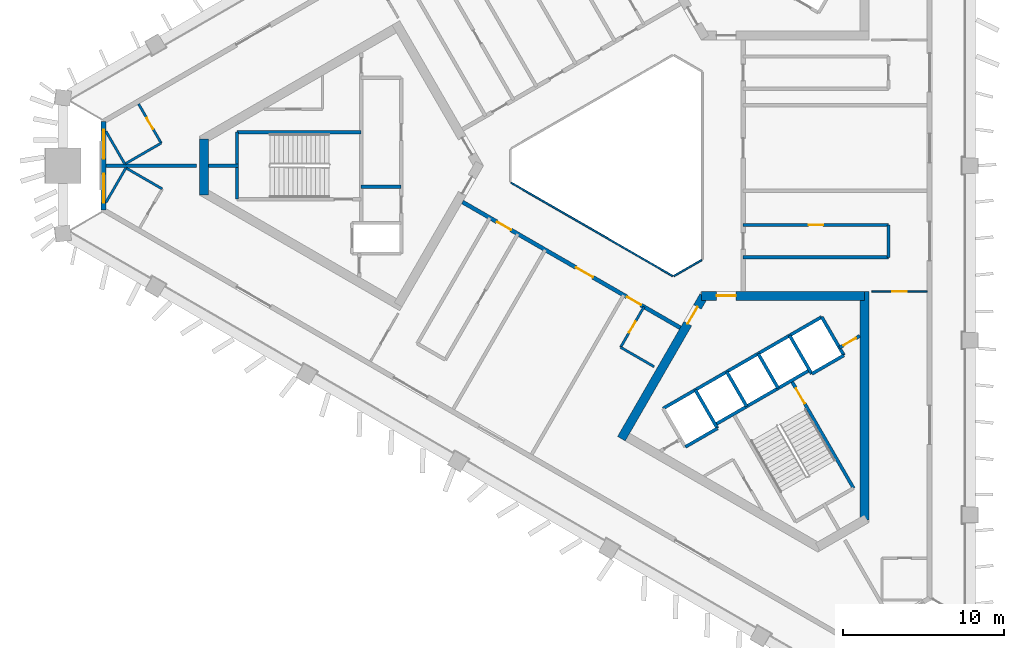
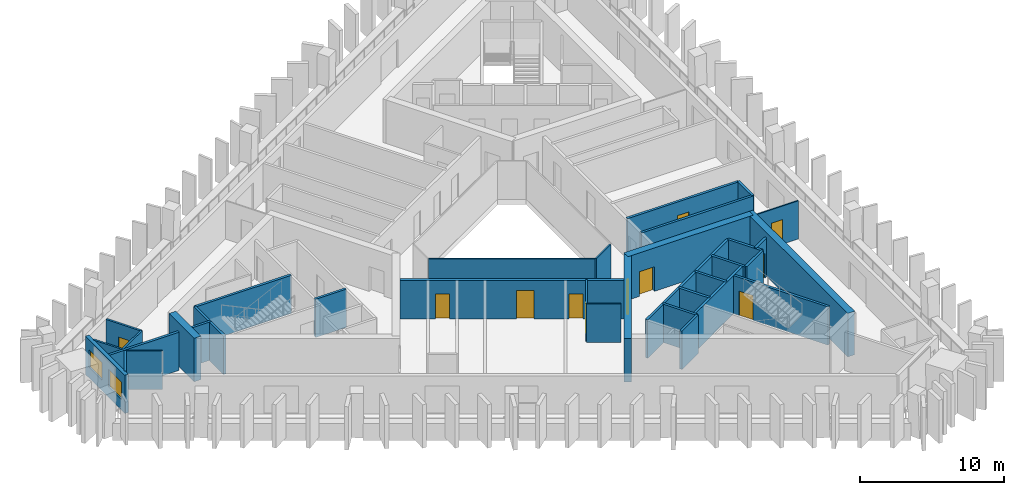
# One storey, part 3 of 9: 35 walls, 11 doors, 2 windows, 13 openings.
"""IFC4 building model written with IfcOpenShell, lengths in metres."""

from ifc_helpers import new_model, si_unit, direction, frame, frame_2d, origin, place, context, subcontext, project, spatial, rectangle, extrude, material, layer, layer_set, type_object, element, fill, save


model = new_model("IFC4")

# Units and contexts
model_context = context("Model", 3, precision=1e-05, world=origin(), true_north=direction((0.0, 1.0)))
body_context = subcontext(model_context, "Body", "Model", "MODEL_VIEW")
ifc_project = project(units=[si_unit("LENGTHUNIT", "METRE"), si_unit("AREAUNIT", "SQUARE_METRE"), si_unit("VOLUMEUNIT", "CUBIC_METRE"), si_unit("PLANEANGLEUNIT", "RADIAN"), si_unit("MASSUNIT", "GRAM", prefix="KILO")], contexts=[model_context])

# Site, building, storey
site_placement = place(None, origin())
site = spatial("IfcSite", under=ifc_project, at=site_placement, CompositionType="ELEMENT")
building_placement = place(site_placement, origin())
building = spatial("IfcBuilding", under=site, at=building_placement, Name="Jabali Bay Hotel Tower and Convention Centre", CompositionType="ELEMENT")
storey_placement = place(building_placement, frame((0.0, 0.0, 171.10009765625)))
storey = spatial("IfcBuildingStorey", under=building, at=storey_placement, Name="L41", CompositionType="ELEMENT", Elevation=171.10009765625)

# Walls
ifc_material_1 = material(Name="Fire-resistant glazing", Category="glass")
ifc_layer_1 = layer(ifc_material_1, 0.10009765625)
ifc_layer_set_1 = layer_set([ifc_layer_1], Name="Fire-resistant glazing")
wall_type_1 = type_object("IfcWallType", Name="Atrium glazed screen 100", PredefinedType="PARTITIONING", material=ifc_layer_set_1)
wall_1_placement = place(storey_placement, frame((67.7021484375, 78.947998046875, 0.0), z_axis=(0.0, 0.0, 1.0), x_axis=(0.866026658274, -0.499997827154, 0.0)))
element("IfcWall", 1, at=wall_1_placement, inside=storey, type_object=wall_type_1, Name="Atrium screen 5 L41", PredefinedType="PARTITIONING", context=body_context, shape_type="SweptSolid", body=[
    extrude(rectangle(XDim=11.58837890625, YDim=0.10009765625, at=frame_2d((5.794189453125, 0.0))), origin(), (0.0, 0.0, 1.0), 3.25),
])
wall_2_placement = place(storey_placement, frame((77.7978515625, 73.15380859375, 0.0), z_axis=(0.0, 0.0, 1.0), x_axis=(0.866041268327, 0.499972520799, 0.0)))
element("IfcWall", 2, at=wall_2_placement, inside=storey, type_object=wall_type_1, Name="Atrium screen 6 L41", PredefinedType="PARTITIONING", context=body_context, shape_type="SweptSolid", body=[
    extrude(rectangle(XDim=2.0, YDim=0.10009765625, at=frame_2d((1.0, 0.0))), origin(), (0.0, 0.0, 1.0), 3.25),
])
ifc_material_2 = material(Name="Concrete C40", Category="concrete")
ifc_layer_2 = layer(ifc_material_2, 0.199951171875)
ifc_layer_set_2 = layer_set([ifc_layer_2], Name="Concrete C40")
wall_type_2 = type_object("IfcWallType", Name="Core partition wall 200", PredefinedType="PARTITIONING", material=ifc_layer_set_2)
wall_3_placement = place(storey_placement, frame((50.820068359375, 80.0, 0.0), z_axis=(0.0, 0.0, 1.0), x_axis=(-1.0, 0.0, 0.0)))
element("IfcWall", 3, at=wall_3_placement, inside=storey, type_object=wall_type_2, Name="Core wall 0.3 L41", PredefinedType="PARTITIONING", context=body_context, shape_type="SweptSolid", body=[
    extrude(rectangle(XDim=1.873046875, YDim=0.199951171875, at=frame_2d((0.9365234375, 0.0))), origin(), (0.0, 0.0, 1.0), 3.25),
])

# Wall, opening, door
wall_4_placement = place(storey_placement, frame((88.064697265625, 68.72119140625, 0.0), z_axis=(0.0, 0.0, 1.0), x_axis=(0.865982457891, 0.500074377092, 0.0)))
wall_4 = element("IfcWall", 4, at=wall_4_placement, inside=storey, type_object=wall_type_2, Name="Core wall 2.12 L41", PredefinedType="PARTITIONING", context=body_context, shape_type="SweptSolid", body=[
    extrude(rectangle(XDim=1.461181640625, YDim=0.199951171875, at=frame_2d((0.73046875, 0.0))), origin(), (0.0, 0.0, 1.0), 3.25),
])
opening_1_placement = place(wall_4_placement, frame((0.280517578125, 0.0, 0.0)))
opening_1 = element("IfcOpeningElement", 5, at=opening_1_placement, cuts=wall_4, Name="Opening D901", PredefinedType="OPENING", context=body_context, shape_type="SweptSolid", body=[
    extrude(rectangle(XDim=0.89990234375, YDim=2.10009765625, at=frame_2d((0.449951171875, 1.050048828125))), frame((0.0, 0.1103515625, 0.0), z_axis=(0.0, -1.0, 0.0), x_axis=(1.0, 0.0, 0.0)), (0.0, 0.0, 1.0), 0.220947265625),
])
ifc_material_3 = material(Name="Fire-rated steel door", Category="steel")
door_type_1 = type_object("IfcDoorType", Name="Vestibule fire door 900 x 2100", OperationType="NOTDEFINED", PredefinedType="NOTDEFINED", material=ifc_material_3)
door_1_placement = place(opening_1_placement, origin())
door_1 = element("IfcDoor", 6, at=door_1_placement, inside=storey, type_object=door_type_1, Name="Vestibule fire door D901", OperationType="SINGLE_SWING_LEFT", OverallHeight=2.10009765625, OverallWidth=0.89990234375, PredefinedType="NOTDEFINED", context=body_context, shape_type="SweptSolid", body=[
    extrude(rectangle(XDim=0.89990234375, YDim=2.10009765625, at=frame_2d((0.449951171875, 1.050048828125))), frame((0.0, 0.02490234375, 0.0), z_axis=(0.0, -1.0, 0.0), x_axis=(1.0, 0.0, 0.0)), (0.0, 0.0, 1.0), 0.050048828125),
])
fill(opening_1, door_1)

# Walls
ifc_layer_3 = layer(ifc_material_2, 0.199951171875)
ifc_layer_set_3 = layer_set([ifc_layer_3], Name="Concrete C40")
wall_type_3 = type_object("IfcWallType", Name="Core stair wall 200", PredefinedType="SOLIDWALL", material=ifc_layer_set_3)
wall_5_placement = place(storey_placement, frame((58.419921875, 82.074951171875, 0.0), z_axis=(0.0, 0.0, 1.0), x_axis=(-1.0, 0.0, 0.0)))
element("IfcWall", 7, at=wall_5_placement, inside=storey, type_object=wall_type_3, Name="Core wall 0.2 L41", PredefinedType="SOLIDWALL", context=body_context, shape_type="SweptSolid", body=[
    extrude(rectangle(XDim=7.699951171875, YDim=0.199951171875, at=frame_2d((3.85009765625, 0.0))), origin(), (0.0, 0.0, 1.0), 3.25),
])
wall_6_placement = place(storey_placement, frame((60.89990234375, 78.699951171875, 0.0), z_axis=(0.0, 0.0, 1.0), x_axis=(-1.0, 0.0, 0.0)))
element("IfcWall", 8, at=wall_6_placement, inside=storey, type_object=wall_type_3, Name="Core wall 0.4 L41", PredefinedType="SOLIDWALL", context=body_context, shape_type="SweptSolid", body=[
    extrude(rectangle(XDim=2.47998046875, YDim=0.199951171875, at=frame_2d((1.239990234375, 0.0))), origin(), (0.0, 0.0, 1.0), 3.25),
])
wall_7_placement = place(storey_placement, frame((50.719970703125, 82.074951171875, 0.0), z_axis=(0.0, 0.0, 1.0), x_axis=(0.0, -1.0, 0.0)))
element("IfcWall", 9, at=wall_7_placement, inside=storey, type_object=wall_type_3, Name="Core wall 0.13 L41", PredefinedType="SOLIDWALL", context=body_context, shape_type="SweptSolid", body=[
    extrude(rectangle(XDim=4.14990234375, YDim=0.199951171875, at=frame_2d((2.074951171875, 0.0))), origin(), (0.0, 0.0, 1.0), 3.25),
])
wall_8_placement = place(storey_placement, frame((79.127197265625, 66.1015625, 0.0), z_axis=(0.0, 0.0, 1.0), x_axis=(0.499996545922, -0.866027397988, 0.0)))
element("IfcWall", 10, at=wall_8_placement, inside=storey, type_object=wall_type_3, Name="Core wall 2.2 L41", PredefinedType="SOLIDWALL", context=body_context, shape_type="SweptSolid", body=[
    extrude(rectangle(XDim=2.75, YDim=0.199951171875, at=frame_2d((1.375, 0.0))), origin(), (0.0, 0.0, 1.0), 3.25),
])
for number, where, z_axis, x_axis, name in (
    (11, (81.07568359375, 67.2265625, 0.0), (0.0, 0.0, 1.0), (0.50000366821, -0.866023285932, 0.0), "Core wall 2.4 L41"),
    (12, (83.024169921875, 68.3515625, 0.0), (0.0, 0.0, 1.0), (0.50000366821, -0.866023285932, 0.0), "Core wall 2.6 L41"),
):
    element("IfcWall", number, at=place(storey_placement, frame(where, z_axis=z_axis, x_axis=x_axis)), inside=storey, type_object=wall_type_3, Name=name, PredefinedType="SOLIDWALL", context=body_context, shape_type="SweptSolid", body=[
        extrude(rectangle(XDim=2.47998046875, YDim=0.199951171875, at=frame_2d((1.239990234375, 0.0))), origin(), (0.0, 0.0, 1.0), 3.25),
    ])

# Wall, opening, door
wall_9_placement = place(storey_placement, frame((85.0869140625, 66.6787109375, 0.0), z_axis=(0.0, 0.0, 1.0), x_axis=(0.500019787375, -0.866013979237, 0.0)))
wall_9 = element("IfcWall", 13, at=wall_9_placement, inside=storey, type_object=wall_type_3, Name="Core wall 2.7 L41", PredefinedType="SOLIDWALL", context=body_context, shape_type="SweptSolid", body=[
    extrude(rectangle(XDim=7.699951171875, YDim=0.199951171875, at=frame_2d((3.85009765625, 0.0))), origin(), (0.0, 0.0, 1.0), 3.25),
])
opening_2_placement = place(wall_9_placement, frame((0.550048828125, 0.0, 0.0)))
opening_2 = element("IfcOpeningElement", 14, at=opening_2_placement, cuts=wall_9, Name="Opening D903", PredefinedType="OPENING", context=body_context, shape_type="SweptSolid", body=[
    extrude(rectangle(XDim=1.10009765625, YDim=2.10009765625, at=frame_2d((0.550048828125, 1.050048828125))), frame((0.0, 0.1103515625, 0.0), z_axis=(0.0, -1.0, 0.0), x_axis=(1.0, 0.0, 0.0)), (0.0, 0.0, 1.0), 0.220947265625),
])
door_type_2 = type_object("IfcDoorType", Name="Stair fire door 1100 x 2100", OperationType="NOTDEFINED", PredefinedType="NOTDEFINED", material=ifc_material_3)
door_2_placement = place(opening_2_placement, origin())
door_2 = element("IfcDoor", 15, at=door_2_placement, inside=storey, type_object=door_type_2, Name="Stair fire door D903", OperationType="SINGLE_SWING_RIGHT", OverallHeight=2.10009765625, OverallWidth=1.10009765625, PredefinedType="NOTDEFINED", context=body_context, shape_type="SweptSolid", body=[
    extrude(rectangle(XDim=1.10009765625, YDim=2.10009765625, at=frame_2d((0.550048828125, 1.050048828125))), frame((0.0, 0.02490234375, 0.0), z_axis=(0.0, -1.0, 0.0), x_axis=(1.0, 0.0, 0.0)), (0.0, 0.0, 1.0), 0.050048828125),
])
fill(opening_2, door_2)

# Walls
for number, where, z_axis, x_axis, name in (
    (16, (84.972900390625, 69.4765625, 0.0), (0.0, 0.0, 1.0), (0.499996545922, -0.866027397988, 0.0), "Core wall 2.8 L41"),
    (17, (86.964599609375, 70.62646484375, 0.0), (0.0, 0.0, 1.0), (0.499996545922, -0.866027397988, 0.0), "Core wall 2.9 L41"),
):
    element("IfcWall", number, at=place(storey_placement, frame(where, z_axis=z_axis, x_axis=x_axis)), inside=storey, type_object=wall_type_3, Name=name, PredefinedType="SOLIDWALL", context=body_context, shape_type="SweptSolid", body=[
        extrude(rectangle(XDim=2.75, YDim=0.199951171875, at=frame_2d((1.375, 0.0))), origin(), (0.0, 0.0, 1.0), 3.25),
    ])
wall_10_placement = place(storey_placement, frame((77.13525390625, 64.95166015625, 0.0), z_axis=(0.0, 0.0, 1.0), x_axis=(0.866031916153, 0.499988720078, 0.0)))
element("IfcWall", 18, at=wall_10_placement, inside=storey, type_object=wall_type_3, Name="Core wall 2.10 L41", PredefinedType="SOLIDWALL", context=body_context, shape_type="SweptSolid", body=[
    extrude(rectangle(XDim=11.349853515625, YDim=0.199951171875, at=frame_2d((5.6748046875, 0.0))), origin(), (0.0, 0.0, 1.0), 3.25),
])
wall_11_placement = place(storey_placement, frame((80.3671875, 63.953857421875, 0.0), z_axis=(0.0, 0.0, 1.0), x_axis=(0.866026575979, 0.499997969693, 0.0)))
element("IfcWall", 19, at=wall_11_placement, inside=storey, type_object=wall_type_3, Name="Core wall 2.13 L41", PredefinedType="SOLIDWALL", context=body_context, shape_type="SweptSolid", body=[
    extrude(rectangle(XDim=6.75, YDim=0.199951171875, at=frame_2d((3.375, 0.0))), origin(), (0.0, 0.0, 1.0), 3.25),
])
wall_12_placement = place(storey_placement, frame((78.51025390625, 62.570068359375, 0.0), z_axis=(0.0, 0.0, 1.0), x_axis=(0.866053019151, 0.499952165731, 0.0)))
element("IfcWall", 20, at=wall_12_placement, inside=storey, type_object=wall_type_3, Name="Core wall 2.14 L41", PredefinedType="SOLIDWALL", context=body_context, shape_type="SweptSolid", body=[
    extrude(rectangle(XDim=2.300048828125, YDim=0.199951171875, at=frame_2d((1.14990234375, 0.0))), origin(), (0.0, 0.0, 1.0), 3.25),
])
wall_13_placement = place(storey_placement, frame((86.347900390625, 67.094970703125, 0.0), z_axis=(0.0, 0.0, 1.0), x_axis=(0.86602648383, 0.499998129301, 0.0)))
element("IfcWall", 21, at=wall_13_placement, inside=storey, type_object=wall_type_3, Name="Core wall 2.15 L41", PredefinedType="SOLIDWALL", context=body_context, shape_type="SweptSolid", body=[
    extrude(rectangle(XDim=2.2998046875, YDim=0.199951171875, at=frame_2d((1.14990234375, 0.0))), origin(), (0.0, 0.0, 1.0), 3.25),
])
ifc_material_4 = material(Name="Concrete C60", Category="concrete")
ifc_layer_4 = layer(ifc_material_4, 0.550048828125)
ifc_layer_set_4 = layer_set([ifc_layer_4], Name="Concrete C60")
wall_type_4 = type_object("IfcWallType", Name="Core wall 550", PredefinedType="SHEAR", material=ifc_layer_set_4)
wall_14_placement = place(storey_placement, frame((48.671875, 81.663818359375, 0.0), z_axis=(0.0, 0.0, 1.0), x_axis=(0.0, -1.0, 0.0)))
element("IfcWall", 22, at=wall_14_placement, inside=storey, type_object=wall_type_4, Name="Core wall 1.3 L41", PredefinedType="SHEAR", context=body_context, shape_type="SweptSolid", body=[
    extrude(rectangle(XDim=3.486572265625, YDim=0.550048828125, at=frame_2d((1.7431640625, 0.0))), origin(), (0.0, 0.0, 1.0), 3.699951171875),
])

# Wall, opening, door
wall_15_placement = place(storey_placement, frame((79.65869140625, 71.9306640625, 0.0), z_axis=(0.0, 0.0, 1.0), x_axis=(-0.500000202252, -0.866025287014, 0.0)))
wall_15 = element("IfcWall", 23, at=wall_15_placement, inside=storey, type_object=wall_type_4, Name="Core wall 3.1 L41", PredefinedType="SHEAR", context=body_context, shape_type="SweptSolid", body=[
    extrude(rectangle(XDim=10.22119140625, YDim=0.550048828125, at=frame_2d((5.110595703125, 0.0))), origin(), (0.0, 0.0, 1.0), 3.699951171875),
])
opening_3_placement = place(wall_15_placement, frame((0.791259765625, 0.0, 0.0)))
opening_3 = element("IfcOpeningElement", 24, at=opening_3_placement, cuts=wall_15, Name="Opening D899", PredefinedType="OPENING", context=body_context, shape_type="SweptSolid", body=[
    extrude(rectangle(XDim=1.199951171875, YDim=2.10009765625, at=frame_2d((0.60009765625, 1.050048828125))), frame((0.0, 0.28564453125, 0.0), z_axis=(0.0, -1.0, 0.0), x_axis=(1.0, 0.0, 0.0)), (0.0, 0.0, 1.0), 0.571044921875),
])
door_type_3 = type_object("IfcDoorType", Name="Corridor end fire door 1200 x 2100", OperationType="NOTDEFINED", PredefinedType="NOTDEFINED", material=ifc_material_3)
door_3_placement = place(opening_3_placement, origin())
door_3 = element("IfcDoor", 25, at=door_3_placement, inside=storey, type_object=door_type_3, Name="Corridor end fire door D899", OperationType="SINGLE_SWING_RIGHT", OverallHeight=2.10009765625, OverallWidth=1.199951171875, PredefinedType="NOTDEFINED", context=body_context, shape_type="SweptSolid", body=[
    extrude(rectangle(XDim=1.199951171875, YDim=2.10009765625, at=frame_2d((0.60009765625, 1.050048828125))), frame((0.0, 0.02490234375, 0.0), z_axis=(0.0, -1.0, 0.0), x_axis=(1.0, 0.0, 0.0)), (0.0, 0.0, 1.0), 0.050048828125),
])
fill(opening_3, door_3)

# Wall
wall_16_placement = place(storey_placement, frame((89.60498046875, 58.03125, 0.0), z_axis=(0.0, 0.0, 1.0), x_axis=(0.0, 1.0, 0.0)))
element("IfcWall", 26, at=wall_16_placement, inside=storey, type_object=wall_type_4, Name="Core wall 3.4 L41", PredefinedType="SHEAR", context=body_context, shape_type="SweptSolid", body=[
    extrude(rectangle(XDim=14.174560546875, YDim=0.550048828125, at=frame_2d((7.08740234375, 0.0))), origin(), (0.0, 0.0, 1.0), 3.699951171875),
])

# Wall, opening, door
wall_17_placement = place(storey_placement, frame((89.60498046875, 71.9306640625, 0.0), z_axis=(0.0, 0.0, 1.0), x_axis=(-1.0, 0.0, 0.0)))
wall_17 = element("IfcWall", 27, at=wall_17_placement, inside=storey, type_object=wall_type_4, Name="Core wall 3.5 L41", PredefinedType="SHEAR", context=body_context, shape_type="SweptSolid", body=[
    extrude(rectangle(XDim=10.10498046875, YDim=0.550048828125, at=frame_2d((5.052490234375, 0.0))), origin(), (0.0, 0.0, 1.0), 3.699951171875),
])
opening_4_placement = place(wall_17_placement, frame((7.955078125, 0.0, 0.0)))
opening_4 = element("IfcOpeningElement", 28, at=opening_4_placement, cuts=wall_17, Name="Opening D900", PredefinedType="OPENING", context=body_context, shape_type="SweptSolid", body=[
    extrude(rectangle(XDim=1.199951171875, YDim=2.10009765625, at=frame_2d((0.60009765625, 1.050048828125))), frame((0.0, 0.28564453125, 0.0), z_axis=(0.0, -1.0, 0.0), x_axis=(1.0, 0.0, 0.0)), (0.0, 0.0, 1.0), 0.571044921875),
])
door_4_placement = place(opening_4_placement, origin())
door_4 = element("IfcDoor", 29, at=door_4_placement, inside=storey, type_object=door_type_3, Name="Corridor end fire door D900", OperationType="SINGLE_SWING_LEFT", OverallHeight=2.10009765625, OverallWidth=1.199951171875, PredefinedType="NOTDEFINED", context=body_context, shape_type="SweptSolid", body=[
    extrude(rectangle(XDim=1.199951171875, YDim=2.10009765625, at=frame_2d((0.60009765625, 1.050048828125))), frame((0.0, 0.02490234375, 0.0), z_axis=(0.0, -1.0, 0.0), x_axis=(1.0, 0.0, 0.0)), (0.0, 0.0, 1.0), 0.050048828125),
])
fill(opening_4, door_4)

# Wall, openings, doors
ifc_layer_5 = layer(ifc_material_4, 0.25)
ifc_layer_set_5 = layer_set([ifc_layer_5], Name="Concrete C60")
wall_type_5 = type_object("IfcWallType", Name="Corridor wall 250", PredefinedType="SHEAR", material=ifc_layer_set_5)
wall_18_placement = place(storey_placement, frame((64.699951171875, 77.748291015625, 0.0), z_axis=(0.0, 0.0, 1.0), x_axis=(0.866026492143, -0.499998114903, 0.0)))
wall_18 = element("IfcWall", 30, at=wall_18_placement, inside=storey, type_object=wall_type_5, Name="Corridor wall 3 L41", PredefinedType="SHEAR", context=body_context, shape_type="SweptSolid", body=[
    extrude(rectangle(XDim=15.58837890625, YDim=0.25, at=frame_2d((7.794189453125, 0.0))), origin(), (0.0, 0.0, 1.0), 3.25),
])
opening_5_placement = place(wall_18_placement, frame((2.4619140625, 0.0, 0.0)))
opening_5 = element("IfcOpeningElement", 31, at=opening_5_placement, cuts=wall_18, Name="Opening 4118", PredefinedType="OPENING", context=body_context, shape_type="SweptSolid", body=[
    extrude(rectangle(XDim=1.0, YDim=2.10009765625, at=frame_2d((0.5, 1.050048828125))), frame((0.0, 0.135498046875, 0.0), z_axis=(0.0, -1.0, 0.0), x_axis=(1.0, 0.0, 0.0)), (0.0, 0.0, 1.0), 0.27099609375),
])
opening_6_placement = place(wall_18_placement, frame((8.12939453125, 0.0, 0.0)))
opening_6 = element("IfcOpeningElement", 32, at=opening_6_placement, cuts=wall_18, Name="Opening 4122", PredefinedType="OPENING", context=body_context, shape_type="SweptSolid", body=[
    extrude(rectangle(XDim=1.199951171875, YDim=2.39990234375, at=frame_2d((0.60009765625, 1.199951171875))), frame((0.0, 0.135498046875, 0.0), z_axis=(0.0, -1.0, 0.0), x_axis=(1.0, 0.0, 0.0)), (0.0, 0.0, 1.0), 0.27099609375),
])
opening_7_placement = place(wall_18_placement, frame((11.761962890625, 0.0, 0.0)))
opening_7 = element("IfcOpeningElement", 33, at=opening_7_placement, cuts=wall_18, Name="Opening 4124", PredefinedType="OPENING", context=body_context, shape_type="SweptSolid", body=[
    extrude(rectangle(XDim=1.0, YDim=2.10009765625, at=frame_2d((0.5, 1.050048828125))), frame((0.0, 0.135498046875, 0.0), z_axis=(0.0, -1.0, 0.0), x_axis=(1.0, 0.0, 0.0)), (0.0, 0.0, 1.0), 0.27099609375),
])
ifc_material_5 = material(Name="Timber", Category="wood")
door_type_4 = type_object("IfcDoorType", Name="Guest room door 1000 x 2100", OperationType="NOTDEFINED", PredefinedType="NOTDEFINED", material=ifc_material_5)
door_5_placement = place(opening_5_placement, origin())
door_5 = element("IfcDoor", 34, at=door_5_placement, inside=storey, type_object=door_type_4, Name="Door 4118", OperationType="SINGLE_SWING_LEFT", OverallHeight=2.10009765625, OverallWidth=1.0, PredefinedType="NOTDEFINED", context=body_context, shape_type="SweptSolid", body=[
    extrude(rectangle(XDim=1.0, YDim=2.10009765625, at=frame_2d((0.5, 1.050048828125))), frame((0.0, 0.02490234375, 0.0), z_axis=(0.0, -1.0, 0.0), x_axis=(1.0, 0.0, 0.0)), (0.0, 0.0, 1.0), 0.050048828125),
])
fill(opening_5, door_5)
door_6_placement = place(opening_7_placement, origin())
door_6 = element("IfcDoor", 35, at=door_6_placement, inside=storey, type_object=door_type_4, Name="Door 4124", OperationType="SINGLE_SWING_RIGHT", OverallHeight=2.10009765625, OverallWidth=1.0, PredefinedType="NOTDEFINED", context=body_context, shape_type="SweptSolid", body=[
    extrude(rectangle(XDim=1.0, YDim=2.10009765625, at=frame_2d((0.5, 1.050048828125))), frame((0.0, 0.02490234375, 0.0), z_axis=(0.0, -1.0, 0.0), x_axis=(1.0, 0.0, 0.0)), (0.0, 0.0, 1.0), 0.050048828125),
])
fill(opening_7, door_6)
door_type_5 = type_object("IfcDoorType", Name="Public room door 1200 x 2400", OperationType="NOTDEFINED", PredefinedType="NOTDEFINED", material=ifc_material_5)
door_7_placement = place(opening_6_placement, origin())
door_7 = element("IfcDoor", 36, at=door_7_placement, inside=storey, type_object=door_type_5, Name="Door 4122", OperationType="SINGLE_SWING_RIGHT", OverallHeight=2.39990234375, OverallWidth=1.199951171875, PredefinedType="NOTDEFINED", context=body_context, shape_type="SweptSolid", body=[
    extrude(rectangle(XDim=1.199951171875, YDim=2.39990234375, at=frame_2d((0.60009765625, 1.199951171875))), frame((0.0, 0.02490234375, 0.0), z_axis=(0.0, -1.0, 0.0), x_axis=(1.0, 0.0, 0.0)), (0.0, 0.0, 1.0), 0.050048828125),
])
fill(opening_6, door_7)

# Wall, openings, windows
ifc_layer_6 = layer(ifc_material_2, 0.300048828125)
ifc_layer_set_6 = layer_set([ifc_layer_6], Name="Concrete C40")
wall_type_6 = type_object("IfcWallType", Name="External wall 300", PredefinedType="SOLIDWALL", material=ifc_layer_set_6)
wall_19_placement = place(storey_placement, frame((42.44970703125, 77.25634765625, 0.0), z_axis=(0.0, 0.0, 1.0), x_axis=(0.0, 1.0, 0.0)))
wall_19 = element("IfcWall", 37, at=wall_19_placement, inside=storey, type_object=wall_type_6, Name="External wall west chamfer L41", PredefinedType="SOLIDWALL", context=body_context, shape_type="SweptSolid", body=[
    extrude(rectangle(XDim=5.4873046875, YDim=0.300048828125, at=frame_2d((2.74365234375, 0.0))), origin(), (0.0, 0.0, 1.0), 3.25),
])
opening_8_placement = place(wall_19_placement, frame((3.16943359375, 0.0, 0.89990234375)))
opening_8 = element("IfcOpeningElement", 38, at=opening_8_placement, cuts=wall_19, Name="Opening W1", PredefinedType="OPENING", context=body_context, shape_type="SweptSolid", body=[
    extrude(rectangle(XDim=1.800048828125, YDim=1.5, at=frame_2d((0.89990234375, 0.75))), frame((0.0, 0.16064453125, 0.0), z_axis=(0.0, -1.0, 0.0), x_axis=(1.0, 0.0, 0.0)), (0.0, 0.0, 1.0), 0.321044921875),
])
opening_9_placement = place(wall_19_placement, frame((0.443115234375, 0.0, 0.89990234375)))
opening_9 = element("IfcOpeningElement", 39, at=opening_9_placement, cuts=wall_19, Name="Opening W1", PredefinedType="OPENING", context=body_context, shape_type="SweptSolid", body=[
    extrude(rectangle(XDim=1.800048828125, YDim=1.5, at=frame_2d((0.89990234375, 0.75))), frame((0.0, 0.16064453125, 0.0), z_axis=(0.0, -1.0, 0.0), x_axis=(1.0, 0.0, 0.0)), (0.0, 0.0, 1.0), 0.321044921875),
])
ifc_material_6 = material(Name="Glass", Category="glass")
window_type = type_object("IfcWindowType", Name="Window 1800 x 1500", PartitioningType="SINGLE_PANEL", PredefinedType="WINDOW", material=ifc_material_6)
window_1_placement = place(opening_8_placement, origin())
window_1 = element("IfcWindow", 40, at=window_1_placement, inside=storey, type_object=window_type, Name="Window 4108", OverallHeight=1.5, OverallWidth=1.800048828125, PartitioningType="SINGLE_PANEL", PredefinedType="WINDOW", context=body_context, shape_type="SweptSolid", body=[
    extrude(rectangle(XDim=1.800048828125, YDim=1.5, at=frame_2d((0.89990234375, 0.75))), frame((0.0, 0.030029296875, 0.0), z_axis=(0.0, -1.0, 0.0), x_axis=(1.0, 0.0, 0.0)), (0.0, 0.0, 1.0), 0.06005859375),
])
fill(opening_8, window_1)
window_2_placement = place(opening_9_placement, origin())
window_2 = element("IfcWindow", 41, at=window_2_placement, inside=storey, type_object=window_type, Name="Window 4110", OverallHeight=1.5, OverallWidth=1.800048828125, PartitioningType="SINGLE_PANEL", PredefinedType="WINDOW", context=body_context, shape_type="SweptSolid", body=[
    extrude(rectangle(XDim=1.800048828125, YDim=1.5, at=frame_2d((0.89990234375, 0.75))), frame((0.0, 0.030029296875, 0.0), z_axis=(0.0, -1.0, 0.0), x_axis=(1.0, 0.0, 0.0)), (0.0, 0.0, 1.0), 0.06005859375),
])
fill(opening_9, window_2)

# Wall, opening, door
ifc_material_7 = material(Name="Plasterboard on steel stud", Category="steel")
ifc_layer_7 = layer(ifc_material_7, 0.10009765625)
ifc_layer_set_7 = layer_set([ifc_layer_7], Name="Plasterboard on steel stud")
wall_type_7 = type_object("IfcWallType", Name="Partition 100 unit", PredefinedType="PARTITIONING", material=ifc_layer_set_7)
wall_20_placement = place(storey_placement, frame((90.0791015625, 72.205810546875, 0.0), z_axis=(0.0, 0.0, 1.0), x_axis=(1.0, 0.0, 0.0)))
wall_20 = element("IfcWall", 42, at=wall_20_placement, inside=storey, type_object=wall_type_7, Name="Partition P02 L41 001", PredefinedType="PARTITIONING", context=body_context, shape_type="SweptSolid", body=[
    extrude(rectangle(XDim=3.42333984375, YDim=0.10009765625, at=frame_2d((1.711669921875, 0.0))), origin(), (0.0, 0.0, 1.0), 3.25),
])
opening_10_placement = place(wall_20_placement, frame((1.261962890625, 0.0, 0.0)))
opening_10 = element("IfcOpeningElement", 43, at=opening_10_placement, cuts=wall_20, Name="Opening 4102", PredefinedType="OPENING", context=body_context, shape_type="SweptSolid", body=[
    extrude(rectangle(XDim=0.89990234375, YDim=2.10009765625, at=frame_2d((0.449951171875, 1.050048828125))), frame((0.0, 0.060546875, 0.0), z_axis=(0.0, -1.0, 0.0), x_axis=(1.0, 0.0, 0.0)), (0.0, 0.0, 1.0), 0.12109375),
])
door_type_6 = type_object("IfcDoorType", Name="Internal door 900 x 2100", OperationType="NOTDEFINED", PredefinedType="NOTDEFINED", material=ifc_material_5)
door_8_placement = place(opening_10_placement, origin())
door_8 = element("IfcDoor", 44, at=door_8_placement, inside=storey, type_object=door_type_6, Name="Door 4102", OperationType="SINGLE_SWING_RIGHT", OverallHeight=2.10009765625, OverallWidth=0.89990234375, PredefinedType="NOTDEFINED", context=body_context, shape_type="SweptSolid", body=[
    extrude(rectangle(XDim=0.89990234375, YDim=2.10009765625, at=frame_2d((0.449951171875, 1.050048828125))), frame((0.0, 0.02490234375, 0.0), z_axis=(0.0, -1.0, 0.0), x_axis=(1.0, 0.0, 0.0)), (0.0, 0.0, 1.0), 0.050048828125),
])
fill(opening_10, door_8)

ifc_layer_8 = layer(ifc_material_7, 0.14990234375)
ifc_layer_set_8 = layer_set([ifc_layer_8], Name="Plasterboard on steel stud")
wall_type_8 = type_object("IfcWallType", Name="Partition 150 wet", PredefinedType="PARTITIONING", material=ifc_layer_set_8)
wall_21_placement = place(storey_placement, frame((44.622802734375, 83.826416015625, 0.0), z_axis=(0.0, 0.0, 1.0), x_axis=(0.500001639361, -0.866024457297, 0.0)))
wall_21 = element("IfcWall", 45, at=wall_21_placement, inside=storey, type_object=wall_type_8, Name="Partition P03 L41 028", PredefinedType="PARTITIONING", context=body_context, shape_type="SweptSolid", body=[
    extrude(rectangle(XDim=2.80078125, YDim=0.14990234375, at=frame_2d((1.400390625, 0.0))), origin(), (0.0, 0.0, 1.0), 3.25),
])
opening_11_placement = place(wall_21_placement, frame((1.0, 0.0, 0.0)))
opening_11 = element("IfcOpeningElement", 46, at=opening_11_placement, cuts=wall_21, Name="Opening 4116", PredefinedType="OPENING", context=body_context, shape_type="SweptSolid", body=[
    extrude(rectangle(XDim=0.800048828125, YDim=2.10009765625, at=frame_2d((0.39990234375, 1.050048828125))), frame((0.0, 0.08544921875, 0.0), z_axis=(0.0, -1.0, 0.0), x_axis=(1.0, 0.0, 0.0)), (0.0, 0.0, 1.0), 0.1708984375),
])
door_type_7 = type_object("IfcDoorType", Name="En-suite door 800 x 2100", OperationType="NOTDEFINED", PredefinedType="NOTDEFINED", material=ifc_material_5)
door_9_placement = place(opening_11_placement, origin())
door_9 = element("IfcDoor", 47, at=door_9_placement, inside=storey, type_object=door_type_7, Name="Door 4116", OperationType="SINGLE_SWING_RIGHT", OverallHeight=2.10009765625, OverallWidth=0.800048828125, PredefinedType="NOTDEFINED", context=body_context, shape_type="SweptSolid", body=[
    extrude(rectangle(XDim=0.800048828125, YDim=2.10009765625, at=frame_2d((0.39990234375, 1.050048828125))), frame((0.0, 0.02490234375, 0.0), z_axis=(0.0, -1.0, 0.0), x_axis=(1.0, 0.0, 0.0)), (0.0, 0.0, 1.0), 0.050048828125),
])
fill(opening_11, door_9)

# Walls
wall_22_placement = place(storey_placement, frame((46.023193359375, 81.40087890625, 0.0), z_axis=(0.0, 0.0, 1.0), x_axis=(-0.866021400173, -0.500006934395, 0.0)))
element("IfcWall", 48, at=wall_22_placement, inside=storey, type_object=wall_type_8, Name="Partition P03 L41 029", PredefinedType="PARTITIONING", context=body_context, shape_type="SweptSolid", body=[
    extrude(rectangle(XDim=2.60009765625, YDim=0.14990234375, at=frame_2d((1.300048828125, 0.0))), origin(), (0.0, 0.0, 1.0), 3.25),
])
wall_23_placement = place(storey_placement, frame((43.771484375, 80.100830078125, 0.0), z_axis=(0.0, 0.0, 1.0), x_axis=(-0.499989728273, 0.866031334088, 0.0)))
element("IfcWall", 49, at=wall_23_placement, inside=storey, type_object=wall_type_8, Name="Partition P03 L41 030", PredefinedType="PARTITIONING", context=body_context, shape_type="SweptSolid", body=[
    extrude(rectangle(XDim=2.345703125, YDim=0.14990234375, at=frame_2d((1.1728515625, 0.0))), origin(), (0.0, 0.0, 1.0), 3.25),
])
wall_24_placement = place(storey_placement, frame((42.5986328125, 77.7177734375, 0.0), z_axis=(0.0, 0.0, 1.0), x_axis=(0.499978546328, 0.866037789714, 0.0)))
element("IfcWall", 50, at=wall_24_placement, inside=storey, type_object=wall_type_8, Name="Partition P03 L41 037", PredefinedType="PARTITIONING", context=body_context, shape_type="SweptSolid", body=[
    extrude(rectangle(XDim=2.4755859375, YDim=0.14990234375, at=frame_2d((1.23779296875, 0.0))), origin(), (0.0, 0.0, 1.0), 3.25),
])
wall_25_placement = place(storey_placement, frame((43.83642578125, 79.86181640625, 0.0), z_axis=(0.0, 0.0, 1.0), x_axis=(0.866021400173, -0.500006934395, 0.0)))
element("IfcWall", 51, at=wall_25_placement, inside=storey, type_object=wall_type_8, Name="Partition P03 L41 038", PredefinedType="PARTITIONING", context=body_context, shape_type="SweptSolid", body=[
    extrude(rectangle(XDim=2.60009765625, YDim=0.14990234375, at=frame_2d((1.300048828125, 0.0))), origin(), (0.0, 0.0, 1.0), 3.25),
])
wall_26_placement = place(storey_placement, frame((76.57763671875, 67.542236328125, 0.0), z_axis=(0.0, 0.0, 1.0), x_axis=(-0.866038271014, 0.499977712642, 0.0)))
element("IfcWall", 52, at=wall_26_placement, inside=storey, type_object=wall_type_8, Name="Partition P03 L41 041", PredefinedType="PARTITIONING", context=body_context, shape_type="SweptSolid", body=[
    extrude(rectangle(XDim=2.40087890625, YDim=0.14990234375, at=frame_2d((1.200439453125, 0.0))), origin(), (0.0, 0.0, 1.0), 3.25),
])

# Wall, opening, door
wall_27_placement = place(storey_placement, frame((74.498291015625, 68.74267578125, 0.0), z_axis=(0.0, 0.0, 1.0), x_axis=(0.499987231761, 0.866032775405, 0.0)))
wall_27 = element("IfcWall", 53, at=wall_27_placement, inside=storey, type_object=wall_type_8, Name="Partition P03 L41 042", PredefinedType="PARTITIONING", context=body_context, shape_type="SweptSolid", body=[
    extrude(rectangle(XDim=2.89990234375, YDim=0.14990234375, at=frame_2d((1.449951171875, 0.0))), origin(), (0.0, 0.0, 1.0), 3.25),
])
opening_12_placement = place(wall_27_placement, frame((1.050048828125, 0.0, 0.0)))
opening_12 = element("IfcOpeningElement", 54, at=opening_12_placement, cuts=wall_27, Name="Opening 4123", PredefinedType="OPENING", context=body_context, shape_type="SweptSolid", body=[
    extrude(rectangle(XDim=0.800048828125, YDim=2.10009765625, at=frame_2d((0.39990234375, 1.050048828125))), frame((0.0, 0.08544921875, 0.0), z_axis=(0.0, -1.0, 0.0), x_axis=(1.0, 0.0, 0.0)), (0.0, 0.0, 1.0), 0.1708984375),
])
door_10_placement = place(opening_12_placement, origin())
door_10 = element("IfcDoor", 55, at=door_10_placement, inside=storey, type_object=door_type_7, Name="Door 4123", OperationType="SINGLE_SWING_RIGHT", OverallHeight=2.10009765625, OverallWidth=0.800048828125, PredefinedType="NOTDEFINED", context=body_context, shape_type="SweptSolid", body=[
    extrude(rectangle(XDim=0.800048828125, YDim=2.10009765625, at=frame_2d((0.39990234375, 1.050048828125))), frame((0.0, 0.02490234375, 0.0), z_axis=(0.0, -1.0, 0.0), x_axis=(1.0, 0.0, 0.0)), (0.0, 0.0, 1.0), 0.050048828125),
])
fill(opening_12, door_10)

ifc_layer_9 = layer(ifc_material_7, 0.199951171875)
ifc_layer_set_9 = layer_set([ifc_layer_9], Name="Plasterboard on steel stud")
wall_type_9 = type_object("IfcWallType", Name="Partition 200 party", PredefinedType="PARTITIONING", material=ifc_layer_set_9)
wall_28_placement = place(storey_placement, frame((82.10009765625, 76.323486328125, 0.0), z_axis=(0.0, 0.0, 1.0), x_axis=(1.0, 0.0, 0.0)))
wall_28 = element("IfcWall", 56, at=wall_28_placement, inside=storey, type_object=wall_type_9, Name="Partition P01 L41 002", PredefinedType="PARTITIONING", context=body_context, shape_type="SweptSolid", body=[
    extrude(rectangle(XDim=9.0, YDim=0.199951171875, at=frame_2d((4.5, 0.0))), origin(), (0.0, 0.0, 1.0), 3.25),
])
opening_13_placement = place(wall_28_placement, frame((4.050048828125, 0.0, 0.0)))
opening_13 = element("IfcOpeningElement", 57, at=opening_13_placement, cuts=wall_28, Name="Opening 4104", PredefinedType="OPENING", context=body_context, shape_type="SweptSolid", body=[
    extrude(rectangle(XDim=0.89990234375, YDim=2.10009765625, at=frame_2d((0.449951171875, 1.050048828125))), frame((0.0, 0.1103515625, 0.0), z_axis=(0.0, -1.0, 0.0), x_axis=(1.0, 0.0, 0.0)), (0.0, 0.0, 1.0), 0.220947265625),
])
door_11_placement = place(opening_13_placement, origin())
door_11 = element("IfcDoor", 58, at=door_11_placement, inside=storey, type_object=door_type_6, Name="Door 4104", OperationType="SINGLE_SWING_RIGHT", OverallHeight=2.10009765625, OverallWidth=0.89990234375, PredefinedType="NOTDEFINED", context=body_context, shape_type="SweptSolid", body=[
    extrude(rectangle(XDim=0.89990234375, YDim=2.10009765625, at=frame_2d((0.449951171875, 1.050048828125))), frame((0.0, 0.02490234375, 0.0), z_axis=(0.0, -1.0, 0.0), x_axis=(1.0, 0.0, 0.0)), (0.0, 0.0, 1.0), 0.050048828125),
])
fill(opening_13, door_11)

# Walls
wall_29_placement = place(storey_placement, frame((91.10009765625, 76.323486328125, 0.0), z_axis=(0.0, 0.0, 1.0), x_axis=(0.0, -1.0, 0.0)))
element("IfcWall", 59, at=wall_29_placement, inside=storey, type_object=wall_type_9, Name="Partition P01 L41 003", PredefinedType="PARTITIONING", context=body_context, shape_type="SweptSolid", body=[
    extrude(rectangle(XDim=2.0, YDim=0.199951171875, at=frame_2d((1.0, 0.0))), origin(), (0.0, 0.0, 1.0), 3.25),
])
wall_30_placement = place(storey_placement, frame((91.10009765625, 74.323486328125, 0.0), z_axis=(0.0, 0.0, 1.0), x_axis=(-1.0, 0.0, 0.0)))
element("IfcWall", 60, at=wall_30_placement, inside=storey, type_object=wall_type_9, Name="Partition P01 L41 004", PredefinedType="PARTITIONING", context=body_context, shape_type="SweptSolid", body=[
    extrude(rectangle(XDim=9.0, YDim=0.199951171875, at=frame_2d((4.5, 0.0))), origin(), (0.0, 0.0, 1.0), 3.25),
])
wall_31_placement = place(storey_placement, frame((42.5986328125, 80.0, 0.0), z_axis=(0.0, 0.0, 1.0), x_axis=(1.0, 0.0, 0.0)))
element("IfcWall", 61, at=wall_31_placement, inside=storey, type_object=wall_type_9, Name="Partition P01 L41 031", PredefinedType="PARTITIONING", context=body_context, shape_type="SweptSolid", body=[
    extrude(rectangle(XDim=5.599365234375, YDim=0.199951171875, at=frame_2d((2.7998046875, 0.0))), origin(), (0.0, 0.0, 1.0), 3.25),
])

save(model, "model.ifc")
